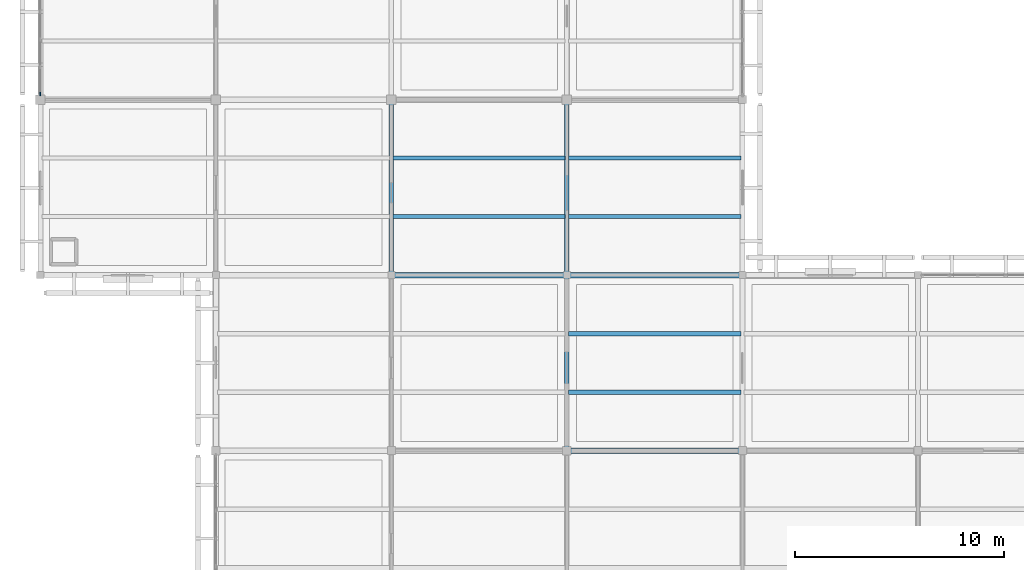
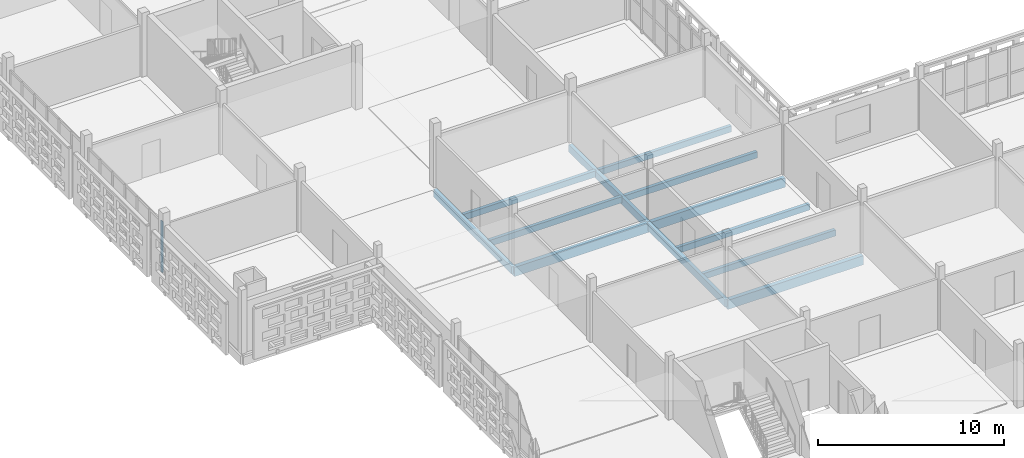
# One storey, part 19 of 140: 12 beams, 1 member, 1 element without a shape of its own.
"""IFC4 building model written with IfcOpenShell, lengths in metres."""

from ifc_helpers import new_model, si_unit, direction, frame, origin, origin_2d, place, context, subcontext, project, spatial, rectangle, extrude, material, layer, layer_set, material_profile, profile_set, type_object, element, aggregate, save


model = new_model("IFC4")

# Units and contexts
model_context = context("Model", 3, precision=1e-05, world=origin(), true_north=direction((0.0, 1.0)))
body_context = subcontext(model_context, "Body", "Model", "MODEL_VIEW")
ifc_project = project(units=[si_unit("LENGTHUNIT", "METRE"), si_unit("AREAUNIT", "SQUARE_METRE"), si_unit("VOLUMEUNIT", "CUBIC_METRE"), si_unit("PLANEANGLEUNIT", "RADIAN"), si_unit("MASSUNIT", "GRAM", prefix="KILO")], contexts=[model_context])

# Site, building, storey
site_placement = place(None, origin())
site = spatial("IfcSite", under=ifc_project, at=site_placement, CompositionType="ELEMENT")
building_placement = place(site_placement, origin())
building = spatial("IfcBuilding", under=site, at=building_placement, Name="Varnapada Polytechnic", CompositionType="ELEMENT")
storey_placement = place(building_placement, frame((0.0, 0.0, 13.800048828125)))
storey = spatial("IfcBuildingStorey", under=building, at=storey_placement, Name="L03", CompositionType="ELEMENT", Elevation=13.800048828125)

# Beams
ifc_material_1 = material(Name="Glulam GL32h", Category="wood")
ifc_material_profile_1 = material_profile(ifc_material_1, rectangle(XDim=0.199951171875, YDim=0.39990234375, at=origin_2d()), Name="GL 200x400")
ifc_profile_set_1 = profile_set([ifc_material_profile_1], Name="Glulam GL32h")
beam_type_1 = type_object("IfcBeamType", Name="Library/laboratory glulam floor joist GJ-01 (GL 200x400)", PredefinedType="JOIST", material=ifc_profile_set_1)
for number, where, z_axis, x_axis, name in (
    (1, (16.8798828125, 44.800048828125, -0.43994140625), (1.0, 0.0, 0.0), (0.0, 1.0, 0.0), "L03 floor joist 3/6.1"),
    (2, (16.8798828125, 47.60009765625, -0.43994140625), (1.0, 0.0, 0.0), (0.0, 1.0, 0.0), "L03 floor joist 3/6.2"),
):
    element("IfcBeam", number, at=place(storey_placement, frame(where, z_axis=z_axis, x_axis=x_axis)), inside=storey, type_object=beam_type_1, Name=name, PredefinedType="JOIST", context=body_context, shape_type="SweptSolid", body=[
        extrude(rectangle(XDim=0.199951171875, YDim=0.39990234375, at=origin_2d()), origin(), (0.0, 0.0, 1.0), 8.240234375),
    ])
for number, where, z_axis, x_axis, name in (
    (3, (25.280029296875, 36.39990234375, -0.469970703125), (1.0, 0.0, 0.0), (0.0, 1.0, 0.0), "L03 floor joist 4/5.1"),
    (4, (25.280029296875, 39.199951171875, -0.469970703125), (1.0, 0.0, 0.0), (0.0, 1.0, 0.0), "L03 floor joist 4/5.2"),
    (5, (25.280029296875, 44.800048828125, -0.43994140625), (1.0, 0.0, 0.0), (0.0, 1.0, 0.0), "L03 floor joist 4/6.1"),
    (6, (25.280029296875, 47.60009765625, -0.43994140625), (1.0, 0.0, 0.0), (0.0, 1.0, 0.0), "L03 floor joist 4/6.2"),
):
    element("IfcBeam", number, at=place(storey_placement, frame(where, z_axis=z_axis, x_axis=x_axis)), inside=storey, type_object=beam_type_1, Name=name, PredefinedType="JOIST", context=body_context, shape_type="SweptSolid", body=[
        extrude(rectangle(XDim=0.199951171875, YDim=0.39990234375, at=origin_2d()), origin(), (0.0, 0.0, 1.0), 8.239990234375),
    ])

# Curtain wall, member
ifc_material_2 = material(Name="Double low-E laminated glass", Category="glass")
ifc_layer = layer(ifc_material_2, 0.179931640625)
ifc_layer_set = layer_set([ifc_layer], Name="Double low-E laminated glass")
curtain_wall_type = type_object("IfcCurtainWallType", Name="Curtain Wall CW-03", PredefinedType="NOTDEFINED", material=ifc_layer_set)
curtain_wall_placement = place(storey_placement, origin())
curtain_wall = element("IfcCurtainWall", 7, at=curtain_wall_placement, inside=storey, type_object=curtain_wall_type, Name="L03 unitised curtain wall CW-03 (205)", PredefinedType="NOTDEFINED")
ifc_material_3 = material(Name="Anodised aluminium", Category="aluminium")
ifc_material_profile_2 = material_profile(ifc_material_3, rectangle(XDim=0.06494140625, YDim=0.179931640625, at=origin_2d()), Name="ALU M65x180")
ifc_profile_set_2 = profile_set([ifc_material_profile_2], Name="Anodised aluminium")
member_type = type_object("IfcMemberType", Name="Mullion M-02", PredefinedType="MULLION", material=ifc_profile_set_2)
member_placement = place(storey_placement, frame((0.0, 50.66259765625, 0.0), z_axis=(0.0, 0.0, 1.0), x_axis=(-1.0, 0.0, 0.0)))
member = element("IfcMember", 8, at=member_placement, type_object=member_type, Name="CW-03 mullion 1", PredefinedType="MULLION", context=body_context, shape_type="SweptSolid", body=[
    extrude(rectangle(XDim=0.06494140625, YDim=0.179931640625, at=origin_2d()), origin(), (0.0, 0.0, 1.0), 3.35986328125),
])
aggregate(curtain_wall, [member])

# Beams
ifc_material_profile_3 = material_profile(ifc_material_1, rectangle(XDim=0.260009765625, YDim=0.60009765625, at=origin_2d()), Name="GL 260x600")
ifc_profile_set_3 = profile_set([ifc_material_profile_3], Name="Glulam GL32h")
beam_type_2 = type_object("IfcBeamType", Name="Seminar wing glulam girder GG-05 (GL 260x600)", PredefinedType="BEAM", material=ifc_profile_set_3)
beam_placement = place(storey_placement, frame((16.800048828125, 42.0, -0.570068359375), z_axis=(1.0, 0.0, 0.0), x_axis=(0.0, 1.0, 0.0)))
element("IfcBeam", 9, at=beam_placement, inside=storey, type_object=beam_type_2, Name="L03 beam X 3-4 at Y6", PredefinedType="BEAM", context=body_context, shape_type="SweptSolid", body=[
    extrude(rectangle(XDim=0.260009765625, YDim=0.60009765625, at=origin_2d()), origin(), (0.0, 0.0, 1.0), 8.39990234375),
])
for number, where, z_axis, x_axis, name in (
    (10, (25.199951171875, 33.60009765625, -0.570068359375), (1.0, 0.0, 0.0), (0.0, 1.0, 0.0), "L03 beam X 4-5 at Y5"),
    (11, (25.199951171875, 42.0, -0.570068359375), (1.0, 0.0, 0.0), (0.0, 1.0, 0.0), "L03 beam X 4-5 at Y6"),
):
    element("IfcBeam", number, at=place(storey_placement, frame(where, z_axis=z_axis, x_axis=x_axis)), inside=storey, type_object=beam_type_2, Name=name, PredefinedType="BEAM", context=body_context, shape_type="SweptSolid", body=[
        extrude(rectangle(XDim=0.260009765625, YDim=0.60009765625, at=origin_2d()), origin(), (0.0, 0.0, 1.0), 8.400146484375),
    ])
ifc_material_profile_4 = material_profile(ifc_material_1, rectangle(XDim=0.219970703125, YDim=0.47998046875, at=origin_2d()), Name="GL 220x480")
ifc_profile_set_4 = profile_set([ifc_material_profile_4], Name="Glulam GL32h")
beam_type_3 = type_object("IfcBeamType", Name="Upper floor glulam tie beam GB-11 (GL 220x480)", PredefinedType="BEAM", material=ifc_profile_set_4)
for number, where, z_axis, x_axis, name in (
    (12, (16.800048828125, 42.0, -0.510009765625), (0.0, 1.0, 0.0), (-1.0, 0.0, 0.0), "L03 beam Y 6-7 at X3"),
    (13, (25.199951171875, 33.60009765625, -0.510009765625), (0.0, 1.0, 0.0), (-1.0, 0.0, 0.0), "L03 beam Y 5-6 at X4"),
    (14, (25.199951171875, 42.0, -0.510009765625), (0.0, 1.0, 0.0), (-1.0, 0.0, 0.0), "L03 beam Y 6-7 at X4"),
):
    element("IfcBeam", number, at=place(storey_placement, frame(where, z_axis=z_axis, x_axis=x_axis)), inside=storey, type_object=beam_type_3, Name=name, PredefinedType="BEAM", context=body_context, shape_type="SweptSolid", body=[
        extrude(rectangle(XDim=0.219970703125, YDim=0.47998046875, at=origin_2d()), origin(), (0.0, 0.0, 1.0), 8.39990234375),
    ])

save(model, "model.ifc")
